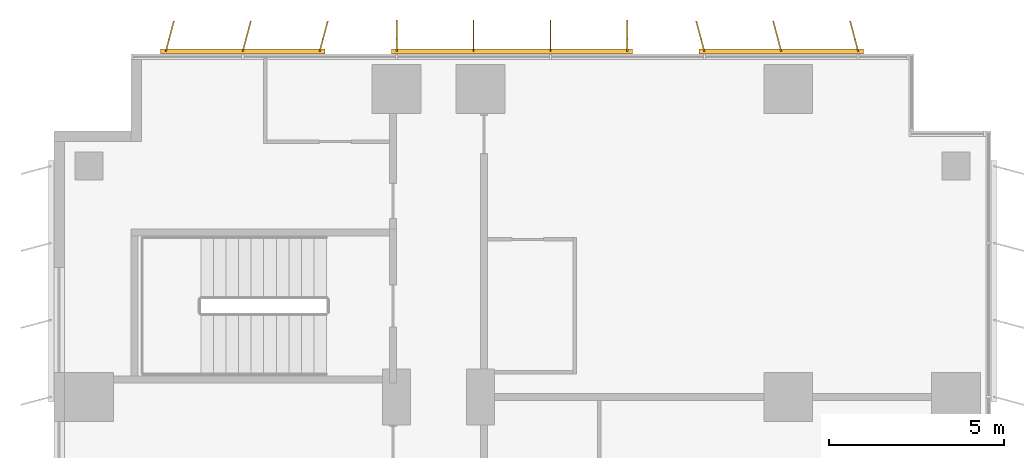
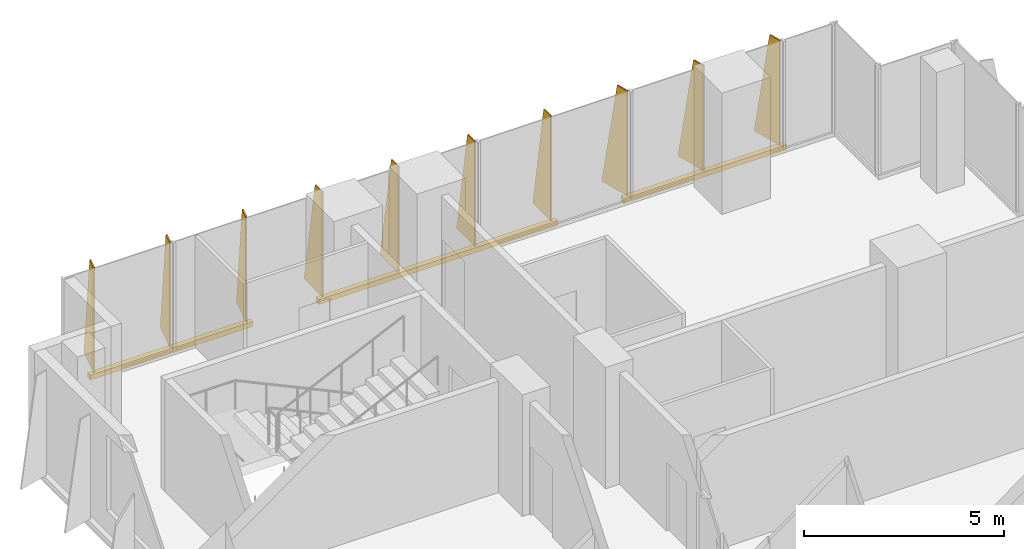
# One storey, part 24 of 24: 3 shading devices.
"""IFC4 building model written with IfcOpenShell, lengths in metres."""

from ifc_helpers import new_model, si_unit, direction, frame, origin, origin_2d, place, context, subcontext, project, spatial, polyline, rectangle, outline, extrude, source, transform, mapped, material, layer, layer_set, type_object, element, save


model = new_model("IFC4")

# Units and contexts
model_context = context("Model", 3, precision=1e-05, world=origin(), true_north=direction((0.0, 1.0)))
body_context = subcontext(model_context, "Body", "Model", "MODEL_VIEW")
ifc_project = project(units=[si_unit("LENGTHUNIT", "METRE"), si_unit("AREAUNIT", "SQUARE_METRE"), si_unit("VOLUMEUNIT", "CUBIC_METRE"), si_unit("PLANEANGLEUNIT", "RADIAN"), si_unit("MASSUNIT", "GRAM", prefix="KILO")], contexts=[model_context])

# Site, building, storey
site_placement = place(None, origin())
site = spatial("IfcSite", under=ifc_project, at=site_placement, CompositionType="ELEMENT")
building_placement = place(site_placement, origin())
building = spatial("IfcBuilding", under=site, at=building_placement, Name="Kemantara Hotel Tower", CompositionType="ELEMENT")
storey_placement = place(building_placement, frame((0.0, 0.0, 59.89990234375)))
storey = spatial("IfcBuildingStorey", under=building, at=storey_placement, Name="L13", CompositionType="ELEMENT", Elevation=59.89990234375)

# Shading devices
ifc_material = material(Name="Perforated aluminium plate 4 mm bronze anodised", Category="aluminium")
ifc_layer_1 = layer(ifc_material, 0.0400390625)
ifc_layer_set_1 = layer_set([ifc_layer_1], Name="Perforated aluminium plate 4 mm bronze anodised")
shading_device_type_1 = type_object("IfcShadingDeviceType", Name="SCREEN FIN CASSETTE, 3 BLADES AT -15.0 DEG, 3200 HIGH", PredefinedType="USERDEFINED", material=ifc_layer_set_1)
shared_shape_1 = source(origin(), body_context, "Body", "SweptSolid", [
    extrude(rectangle(XDim=4.699951171875, YDim=0.14990234375, at=origin_2d()), frame((2.199951171875, -0.074951171875, -0.14990234375), z_axis=(0.0, 0.0, 1.0), x_axis=(1.0, 0.0, 0.0)), (0.0, 0.0, 1.0), 0.14990234375),
    extrude(outline(polyline([(0.0, 0.0), (0.89990234375, 0.0), (0.35009765625, 3.199951171875), (0.0, 3.199951171875), (0.0, 0.0)])), frame((0.019287109375, -0.080078125, 0.0), z_axis=(-0.966437683387, 0.256901156343, 0.0), x_axis=(-0.256901156343, -0.966437683387, 0.0)), (0.0, 0.0, 1.0), 0.039794921875),
    extrude(outline(polyline([(0.0, 0.0), (0.89990234375, 0.0), (0.35009765625, 3.199951171875), (0.0, 3.199951171875), (0.0, 0.0)])), frame((2.21923828125, -0.080078125, 0.0), z_axis=(-0.966437683387, 0.256901156343, 0.0), x_axis=(-0.256901156343, -0.966437683387, 0.0)), (0.0, 0.0, 1.0), 0.039794921875),
    extrude(outline(polyline([(0.0, 0.0), (0.89990234375, 0.0), (0.35009765625, 3.199951171875), (0.0, 3.199951171875), (0.0, 0.0)])), frame((4.41943359375, -0.080078125, 0.0), z_axis=(-0.966837822169, 0.255391122837, 0.0), x_axis=(-0.255391122837, -0.966837822169, 0.0)), (0.0, 0.0, 1.0), 0.0400390625),
])
shading_device_1_placement = place(storey_placement, frame((7.60009765625, 81.199951171875, 0.10009765625), z_axis=(0.0, 0.0, 1.0), x_axis=(-1.0, 0.0, 0.0)))
element("IfcShadingDevice", 1, at=shading_device_1_placement, inside=storey, type_object=shading_device_type_1, Name="SCREEN FIN CASSETTE L13 T1-R11-3", ObjectType="SCREEN FIN", PredefinedType="USERDEFINED", context=body_context, shape_type="MappedRepresentation", body=[
    mapped(shared_shape_1, transform((0.0, 0.0, 0.0))),
])
ifc_layer_2 = layer(ifc_material, 0.0400390625)
ifc_layer_set_2 = layer_set([ifc_layer_2], Name="Perforated aluminium plate 4 mm bronze anodised")
shading_device_type_2 = type_object("IfcShadingDeviceType", Name="SCREEN FIN CASSETTE, 4 BLADES AT +0.0 DEG, 3200 HIGH", PredefinedType="USERDEFINED", material=ifc_layer_set_2)
shared_shape_2 = source(origin(), body_context, "Body", "SweptSolid", [
    extrude(rectangle(XDim=6.89990234375, YDim=0.14990234375, at=origin_2d()), frame((3.300048828125, -0.074951171875, -0.14990234375), z_axis=(0.0, 0.0, 1.0), x_axis=(1.0, 0.0, 0.0)), (0.0, 0.0, 1.0), 0.14990234375),
    extrude(outline(polyline([(0.0, 0.0), (0.89990234375, 0.0), (0.35009765625, 3.199951171875), (0.0, 3.199951171875), (0.0, 0.0)])), frame((0.02001953125, -0.074951171875, 0.0), z_axis=(-1.0, 0.0, 0.0), x_axis=(0.0, -1.0, 0.0)), (0.0, 0.0, 1.0), 0.0400390625),
    extrude(outline(polyline([(0.0, 0.0), (0.89990234375, 0.0), (0.35009765625, 3.199951171875), (0.0, 3.199951171875), (0.0, 0.0)])), frame((2.219970703125, -0.074951171875, 0.0), z_axis=(-1.0, 0.0, 0.0), x_axis=(0.0, -1.0, 0.0)), (0.0, 0.0, 1.0), 0.0400390625),
    extrude(outline(polyline([(0.0, 0.0), (0.89990234375, 0.0), (0.35009765625, 3.199951171875), (0.0, 3.199951171875), (0.0, 0.0)])), frame((4.419921875, -0.074951171875, 0.0), z_axis=(-1.0, 0.0, 0.0), x_axis=(0.0, -1.0, 0.0)), (0.0, 0.0, 1.0), 0.0400390625),
    extrude(outline(polyline([(0.0, 0.0), (0.89990234375, 0.0), (0.35009765625, 3.199951171875), (0.0, 3.199951171875), (0.0, 0.0)])), frame((6.6201171875, -0.074951171875, 0.0), z_axis=(-1.0, 0.0, 0.0), x_axis=(0.0, -1.0, 0.0)), (0.0, 0.0, 1.0), 0.0400390625),
])
shading_device_2_placement = place(storey_placement, frame((16.39990234375, 81.199951171875, 0.10009765625), z_axis=(0.0, 0.0, 1.0), x_axis=(-1.0, 0.0, 0.0)))
element("IfcShadingDevice", 2, at=shading_device_2_placement, inside=storey, type_object=shading_device_type_2, Name="SCREEN FIN CASSETTE L13 T1-R11-2", ObjectType="SCREEN FIN", PredefinedType="USERDEFINED", context=body_context, shape_type="MappedRepresentation", body=[
    mapped(shared_shape_2, transform((0.0, 0.0, 0.0))),
])
ifc_layer_3 = layer(ifc_material, 0.0400390625)
ifc_layer_set_3 = layer_set([ifc_layer_3], Name="Perforated aluminium plate 4 mm bronze anodised")
shading_device_type_3 = type_object("IfcShadingDeviceType", Name="SCREEN FIN CASSETTE, 3 BLADES AT +15.0 DEG, 3200 HIGH", PredefinedType="USERDEFINED", material=ifc_layer_set_3)
shared_shape_3 = source(origin(), body_context, "Body", "SweptSolid", [
    extrude(rectangle(XDim=4.699951171875, YDim=0.14990234375, at=origin_2d()), frame((2.199951171875, -0.074951171875, -0.14990234375), z_axis=(0.0, 0.0, 1.0), x_axis=(1.0, 0.0, 0.0)), (0.0, 0.0, 1.0), 0.14990234375),
    extrude(outline(polyline([(0.0, 0.0), (0.89990234375, 0.0), (0.35009765625, 3.199951171875), (0.0, 3.199951171875), (0.0, 0.0)])), frame((0.019287109375, -0.06982421875, 0.0), z_axis=(-0.966437683387, -0.256901156343, 0.0), x_axis=(0.256901156343, -0.966437683387, 0.0)), (0.0, 0.0, 1.0), 0.039794921875),
    extrude(outline(polyline([(0.0, 0.0), (0.89990234375, 0.0), (0.35009765625, 3.199951171875), (0.0, 3.199951171875), (0.0, 0.0)])), frame((2.21923828125, -0.06982421875, 0.0), z_axis=(-0.966437683387, -0.256901156343, 0.0), x_axis=(0.256901156343, -0.966437683387, 0.0)), (0.0, 0.0, 1.0), 0.039794921875),
    extrude(outline(polyline([(0.0, 0.0), (0.89990234375, 0.0), (0.35009765625, 3.199951171875), (0.0, 3.199951171875), (0.0, 0.0)])), frame((4.41943359375, -0.06982421875, 0.0), z_axis=(-0.966837822169, -0.255391122837, 0.0), x_axis=(0.255391122837, -0.966837822169, 0.0)), (0.0, 0.0, 1.0), 0.0400390625),
])
shading_device_3_placement = place(storey_placement, frame((23.0, 81.199951171875, 0.10009765625), z_axis=(0.0, 0.0, 1.0), x_axis=(-1.0, 0.0, 0.0)))
element("IfcShadingDevice", 3, at=shading_device_3_placement, inside=storey, type_object=shading_device_type_3, Name="SCREEN FIN CASSETTE L13 T1-R11-1", ObjectType="SCREEN FIN", PredefinedType="USERDEFINED", context=body_context, shape_type="MappedRepresentation", body=[
    mapped(shared_shape_3, transform((0.0, 0.0, 0.0))),
])

save(model, "model.ifc")
